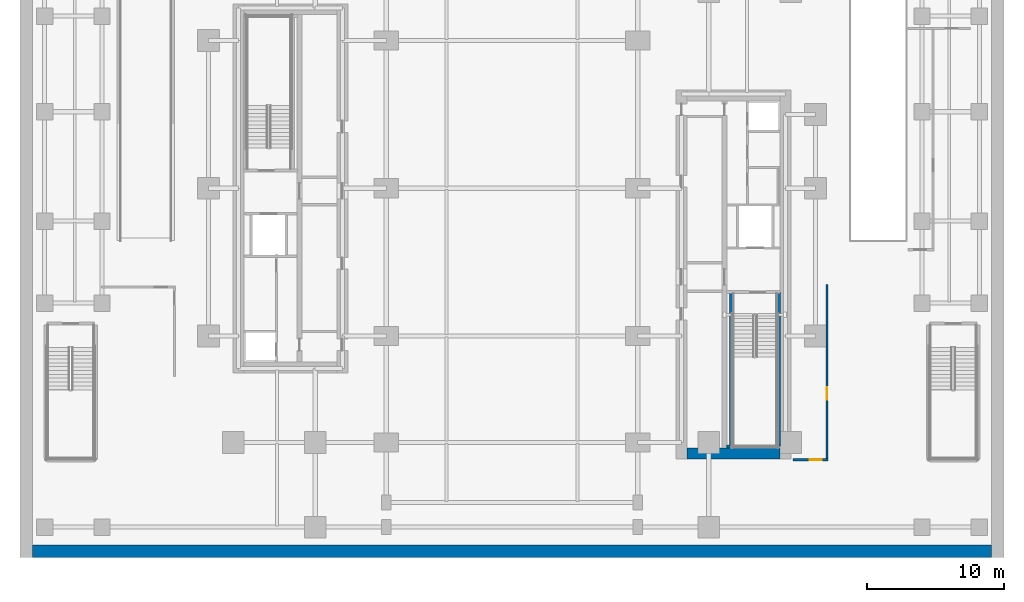
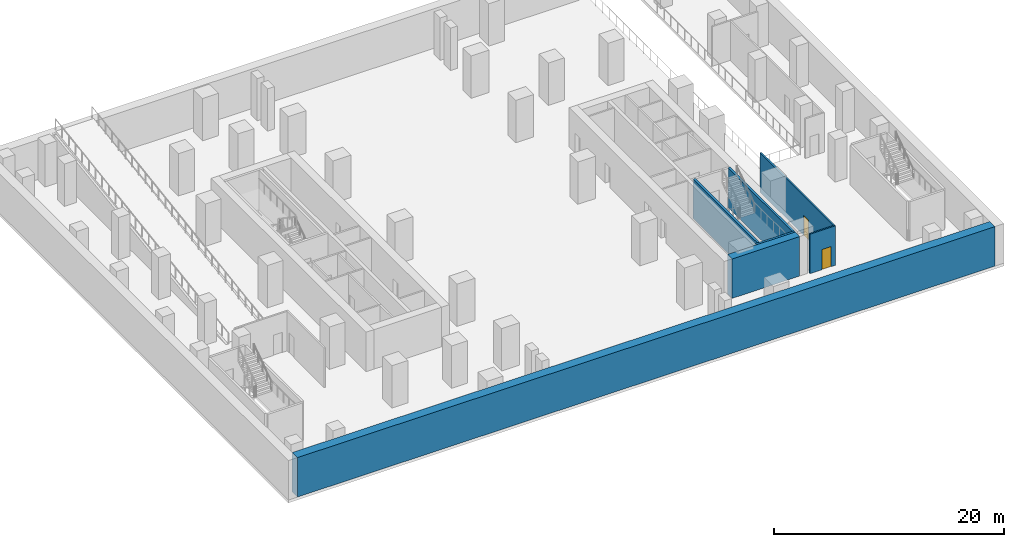
# One storey, part 5 of 14: 7 walls, 2 doors, 2 openings.
"""IFC4 building model written with IfcOpenShell, lengths in metres."""

from ifc_helpers import new_model, si_unit, direction, frame, frame_2d, origin, place, context, subcontext, project, spatial, rectangle, extrude, material, layer, layer_set, type_object, element, fill, save


model = new_model("IFC4")

# Units and contexts
model_context = context("Model", 3, precision=1e-05, world=origin(), true_north=direction((0.0, 1.0)))
body_context = subcontext(model_context, "Body", "Model", "MODEL_VIEW")
ifc_project = project(units=[si_unit("LENGTHUNIT", "METRE"), si_unit("AREAUNIT", "SQUARE_METRE"), si_unit("VOLUMEUNIT", "CUBIC_METRE"), si_unit("PLANEANGLEUNIT", "RADIAN"), si_unit("MASSUNIT", "GRAM", prefix="KILO")], contexts=[model_context])

# Site, building, storey
site_placement = place(None, origin())
site = spatial("IfcSite", under=ifc_project, at=site_placement, CompositionType="ELEMENT")
building_placement = place(site_placement, origin())
building = spatial("IfcBuilding", under=site, at=building_placement, Name="Khairoan Windgate Tower", CompositionType="ELEMENT")
storey_placement = place(building_placement, frame((0.0, 0.0, -4.5)))
storey = spatial("IfcBuildingStorey", under=building, at=storey_placement, Name="B1", CompositionType="ELEMENT", Elevation=-4.5)

# Wall, opening, door
ifc_material_1 = material(Name="Concrete C40/50", Category="concrete")
ifc_layer_1 = layer(ifc_material_1, 0.159912109375, Name="Concrete C40/50")
ifc_layer_set_1 = layer_set([ifc_layer_1], Name="Concrete C40/50")
wall_type_1 = type_object("IfcWallType", Name="Plant and Refuge Compartment Wall", PredefinedType="PARTITIONING", material=ifc_layer_set_1)
wall_1_placement = place(storey_placement, frame((20.56005859375, -19.860107421875, 0.0), z_axis=(0.0, 0.0, 1.0), x_axis=(1.0, 0.0, 0.0)))
wall_1 = element("IfcWall", 1, at=wall_1_placement, inside=storey, type_object=wall_type_1, Name="B1 Interior Partition 009", PredefinedType="PARTITIONING", context=body_context, shape_type="SweptSolid", body=[
    extrude(rectangle(XDim=2.579833984375, YDim=0.159912109375, at=frame_2d((1.2900390625, 0.0))), origin(), (0.0, 0.0, 1.0), 4.199951171875),
])
opening_1_placement = place(wall_1_placement, frame((1.219970703125, 0.0, 0.0)))
opening_1 = element("IfcOpeningElement", 2, at=opening_1_placement, cuts=wall_1, Name="Opening FD-ENT", PredefinedType="OPENING", context=body_context, shape_type="SweptSolid", body=[
    extrude(rectangle(XDim=0.89990234375, YDim=2.14990234375, at=frame_2d((0.449951171875, 1.074951171875))), frame((0.0, 0.08984375, 0.0), z_axis=(0.0, -1.0, 0.0), x_axis=(1.0, 0.0, 0.0)), (0.0, 0.0, 1.0), 0.179931640625),
])
ifc_material_2 = material(Name="Timber Fire-Rated Core", Category="wood")
door_type = type_object("IfcDoorType", Name="Unit and Office Fire Entrance Door FD-ENT 900x2150", OperationType="NOTDEFINED", PredefinedType="DOOR", material=ifc_material_2)
door_1_placement = place(opening_1_placement, origin())
door_1 = element("IfcDoor", 3, at=door_1_placement, inside=storey, type_object=door_type, Name="B1 B1-31-B1-48 Door", OperationType="SINGLE_SWING_RIGHT", OverallHeight=2.14990234375, OverallWidth=0.89990234375, PredefinedType="DOOR", context=body_context, shape_type="SweptSolid", body=[
    extrude(rectangle(XDim=0.89990234375, YDim=2.14990234375, at=frame_2d((0.449951171875, 1.074951171875))), frame((0.0, 0.02490234375, 0.0), z_axis=(0.0, -1.0, 0.0), x_axis=(1.0, 0.0, 0.0)), (0.0, 0.0, 1.0), 0.050048828125),
])
fill(opening_1, door_1)

wall_2_placement = place(storey_placement, frame((23.06005859375, -19.780029296875, 0.0), z_axis=(0.0, 0.0, 1.0), x_axis=(0.0, 1.0, 0.0)))
wall_2 = element("IfcWall", 4, at=wall_2_placement, inside=storey, type_object=wall_type_1, Name="B1 Interior Partition 011", PredefinedType="PARTITIONING", context=body_context, shape_type="SweptSolid", body=[
    extrude(rectangle(XDim=12.739990234375, YDim=0.159912109375, at=frame_2d((6.3701171875, 0.0))), origin(), (0.0, 0.0, 1.0), 4.199951171875),
])
opening_2_placement = place(wall_2_placement, frame((4.30224609375, 0.0, 0.0)))
opening_2 = element("IfcOpeningElement", 5, at=opening_2_placement, cuts=wall_2, Name="Opening FD-ENT", PredefinedType="OPENING", context=body_context, shape_type="SweptSolid", body=[
    extrude(rectangle(XDim=0.89990234375, YDim=2.14990234375, at=frame_2d((0.449951171875, 1.074951171875))), frame((0.0, 0.08984375, 0.0), z_axis=(0.0, -1.0, 0.0), x_axis=(1.0, 0.0, 0.0)), (0.0, 0.0, 1.0), 0.179931640625),
])
door_2_placement = place(opening_2_placement, origin())
door_2 = element("IfcDoor", 6, at=door_2_placement, inside=storey, type_object=door_type, Name="B1 B1-35-B1-48 Door", OperationType="SINGLE_SWING_RIGHT", OverallHeight=2.14990234375, OverallWidth=0.89990234375, PredefinedType="DOOR", context=body_context, shape_type="SweptSolid", body=[
    extrude(rectangle(XDim=0.89990234375, YDim=2.14990234375, at=frame_2d((0.449951171875, 1.074951171875))), frame((0.0, 0.02490234375, 0.0), z_axis=(0.0, -1.0, 0.0), x_axis=(1.0, 0.0, 0.0)), (0.0, 0.0, 1.0), 0.050048828125),
])
fill(opening_2, door_2)

# Walls
ifc_material_3 = material(Name="Concrete C70/85", Category="concrete")
ifc_layer_2 = layer(ifc_material_3, 0.800048828125, Name="Concrete C70/85")
ifc_layer_set_2 = layer_set([ifc_layer_2], Name="Concrete C70/85")
wall_type_2 = type_object("IfcWallType", Name="Shear Wall CW-E1 800mm", PredefinedType="SHEAR", material=ifc_layer_set_2)
wall_3_placement = place(storey_placement, frame((12.800048828125, -19.39990234375, 0.0), z_axis=(0.0, 0.0, 1.0), x_axis=(1.0, 0.0, 0.0)))
element("IfcWall", 7, at=wall_3_placement, inside=storey, type_object=wall_type_2, Name="E Core South Shear Wall B1", PredefinedType="SHEAR", context=body_context, shape_type="SweptSolid", body=[
    extrude(rectangle(XDim=6.800048828125, YDim=0.800048828125, at=frame_2d((3.39990234375, 0.0))), origin(), (0.0, 0.0, 1.0), 4.199951171875),
])
ifc_material_4 = material(Name="Concrete C50/60", Category="concrete")
ifc_layer_3 = layer(ifc_material_4, 0.89990234375, Name="Concrete C50/60")
ifc_layer_set_3 = layer_set([ifc_layer_3], Name="Concrete C50/60")
wall_type_3 = type_object("IfcWallType", Name="Shear Wall DW-B1 900mm", PredefinedType="SHEAR", material=ifc_layer_set_3)
wall_4_placement = place(storey_placement, frame((-35.10009765625, -26.550048828125, 0.0), z_axis=(0.0, 0.0, 1.0), x_axis=(1.0, 0.0, 0.0)))
element("IfcWall", 8, at=wall_4_placement, inside=storey, type_object=wall_type_3, Name="South Diaphragm Wall B1", PredefinedType="SHEAR", context=body_context, shape_type="SweptSolid", body=[
    extrude(rectangle(XDim=70.2001953125, YDim=0.89990234375, at=frame_2d((35.10009765625, 0.0))), origin(), (0.0, 0.0, 1.0), 4.199951171875),
])
ifc_material_5 = material(Name="Concrete C50/60", Category="concrete")
ifc_layer_4 = layer(ifc_material_5, 0.219970703125, Name="Concrete C50/60")
ifc_layer_set_4 = layer_set([ifc_layer_4], Name="Concrete C50/60")
wall_type_4 = type_object("IfcWallType", Name="Shear Wall SW-ST 220mm", PredefinedType="SHEAR", material=ifc_layer_set_4)
for number, where, z_axis, x_axis, name in (
    (9, (16.0400390625, -18.889892578125, 0.0), (0.0, 0.0, 1.0), (0.0, 1.0, 0.0), "B1 Stair ST1 West Bearing Wall"),
    (10, (19.530029296875, -18.889892578125, 0.0), (0.0, 0.0, 1.0), (0.0, 1.0, 0.0), "B1 Stair ST1 East Bearing Wall"),
):
    element("IfcWall", number, at=place(storey_placement, frame(where, z_axis=z_axis, x_axis=x_axis)), inside=storey, type_object=wall_type_4, Name=name, PredefinedType="SHEAR", context=body_context, shape_type="SweptSolid", body=[
        extrude(rectangle(XDim=11.2998046875, YDim=0.219970703125, at=frame_2d((5.64990234375, 0.0))), origin(), (0.0, 0.0, 1.0), 4.199951171875),
    ])
wall_5_placement = place(storey_placement, frame((15.705078125, -18.889892578125, 0.0), z_axis=(0.0, 0.0, 1.0), x_axis=(1.0, 0.0, 0.0)))
element("IfcWall", 11, at=wall_5_placement, inside=storey, type_object=wall_type_4, Name="B1 Stair ST1 South Bearing Wall", PredefinedType="SHEAR", context=body_context, shape_type="SweptSolid", body=[
    extrude(rectangle(XDim=3.9150390625, YDim=0.219970703125, at=frame_2d((1.95751953125, 0.0))), origin(), (0.0, 0.0, 1.0), 4.199951171875),
])

save(model, "model.ifc")
